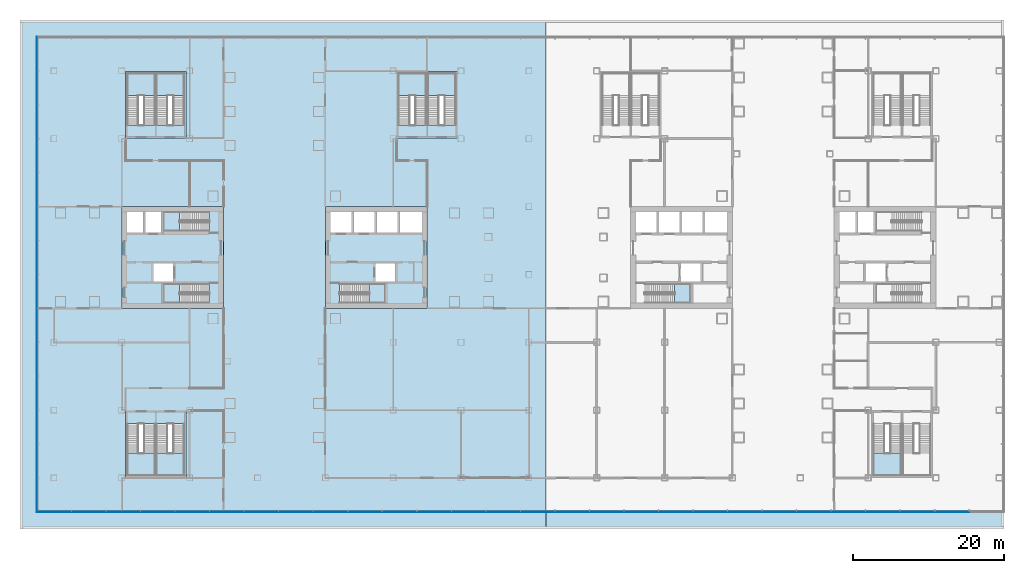
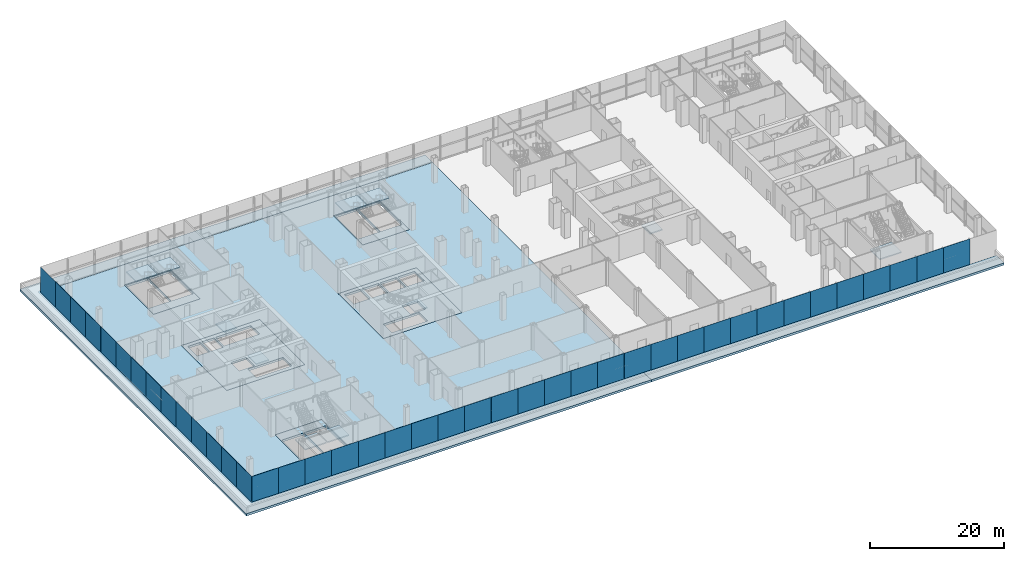
# One storey, part 18 of 33: 41 plates, 19 slabs, 13 elements without a shape of their own.
"""IFC4 building model written with IfcOpenShell, lengths in metres."""

from ifc_helpers import new_model, si_unit, direction, frame, origin, origin_2d, place, context, subcontext, project, spatial, polyline, rectangle, outline, extrude, material, layer, layer_set, type_object, element, aggregate, save


model = new_model("IFC4")

# Units and contexts
model_context = context("Model", 3, precision=1e-05, world=origin(), true_north=direction((0.0, 1.0)))
body_context = subcontext(model_context, "Body", "Model", "MODEL_VIEW")
ifc_project = project(units=[si_unit("LENGTHUNIT", "METRE"), si_unit("AREAUNIT", "SQUARE_METRE"), si_unit("VOLUMEUNIT", "CUBIC_METRE"), si_unit("PLANEANGLEUNIT", "RADIAN"), si_unit("MASSUNIT", "GRAM", prefix="KILO")], contexts=[model_context])

# Site, building, storey
site_placement = place(None, origin())
site = spatial("IfcSite", under=ifc_project, at=site_placement, CompositionType="ELEMENT")
building_placement = place(site_placement, origin())
building = spatial("IfcBuilding", under=site, at=building_placement, Name="Shamsa Quay Exchange Towers", CompositionType="ELEMENT")
storey_placement = place(building_placement, frame((0.0, 0.0, 18.5)))
storey = spatial("IfcBuildingStorey", under=building, at=storey_placement, Name="L03", CompositionType="ELEMENT", Elevation=18.5)

# Slabs
ifc_material_1 = material(Name="Concrete C50/60", Category="concrete")
ifc_layer_1 = layer(ifc_material_1, 0.39990234375)
ifc_layer_set_1 = layer_set([ifc_layer_1], Name="CORE FLOOR 400 C50/60")
slab_type_1 = type_object("IfcSlabType", Name="CORE FLOOR 400 C50/60", PredefinedType="FLOOR", material=ifc_layer_set_1)
slab_1_placement = place(storey_placement, frame((0.0, 0.0, -0.39990234375)))
element("IfcSlab", 1, at=slab_1_placement, inside=storey, type_object=slab_type_1, Name="Core floor T1A", PredefinedType="FLOOR", context=body_context, shape_type="SweptSolid", body=[
    extrude(outline(polyline([(-27.0, -6.75), (-13.5, -6.75), (-13.5, 6.75), (-27.0, 6.75), (-27.0, -6.75)]), holes=[polyline([(-25.099365234375, -6.050048828125), (-25.099365234375, -3.5), (-19.0, -3.5), (-19.0, -6.050048828125), (-25.099365234375, -6.050048828125)]), polyline([(-26.300048828125, 3.25), (-26.300048828125, 6.050048828125), (-23.5, 6.050048828125), (-23.5, 3.25), (-26.300048828125, 3.25)]), polyline([(-23.25, 3.25), (-23.25, 6.050048828125), (-20.449951171875, 6.050048828125), (-20.449951171875, 3.25), (-23.25, 3.25)]), polyline([(-20.199951171875, 3.25), (-20.199951171875, 6.050048828125), (-17.39990234375, 6.050048828125), (-17.39990234375, 3.25), (-20.199951171875, 3.25)]), polyline([(-17.14990234375, 3.25), (-17.14990234375, 6.050048828125), (-14.199951171875, 6.050048828125), (-14.199951171875, 3.25), (-17.14990234375, 3.25)]), polyline([(-20.35009765625, -3.25), (-20.35009765625, -0.75), (-17.699951171875, -0.75), (-17.699951171875, -3.25), (-20.35009765625, -3.25)])]), origin(), (0.0, 0.0, 1.0), 0.39990234375),
])
slab_2_placement = place(storey_placement, frame((0.0, 0.0, -0.39990234375)))
element("IfcSlab", 2, at=slab_2_placement, inside=storey, type_object=slab_type_1, Name="Core floor T1B", PredefinedType="FLOOR", context=body_context, shape_type="SweptSolid", body=[
    extrude(outline(polyline([(-40.5, -6.75), (-40.5, 6.75), (-54.0, 6.75), (-54.0, -6.75), (-40.5, -6.75)]), holes=[polyline([(-42.400634765625, -3.5), (-42.400634765625, -6.050048828125), (-48.5, -6.050048828125), (-48.5, -3.5), (-42.400634765625, -3.5)]), polyline([(-42.400634765625, 6.050048828125), (-42.400634765625, 3.5), (-48.5, 3.5), (-48.5, 6.050048828125), (-42.400634765625, 6.050048828125)]), polyline([(-48.75, 3.25), (-50.89990234375, 3.25), (-50.89990234375, 6.050048828125), (-48.75, 6.050048828125), (-48.75, 3.25)]), polyline([(-51.14990234375, 3.25), (-53.300048828125, 3.25), (-53.300048828125, 6.050048828125), (-51.14990234375, 6.050048828125), (-51.14990234375, 3.25)]), polyline([(-47.14990234375, -3.25), (-49.800048828125, -3.25), (-49.800048828125, -0.75), (-47.14990234375, -0.75), (-47.14990234375, -3.25)])]), origin(), (0.0, 0.0, 1.0), 0.39990234375),
])
slab_3_placement = place(storey_placement, frame((0.0, 0.0, -0.39990234375)))
element("IfcSlab", 3, at=slab_3_placement, inside=storey, type_object=slab_type_1, Name="Stair floor PS1", PredefinedType="FLOOR", context=body_context, shape_type="SweptSolid", body=[
    extrude(outline(polyline([(-53.5, 15.85009765625), (-45.5, 15.85009765625), (-45.5, 24.64990234375), (-53.5, 24.64990234375), (-53.5, 15.85009765625)]), holes=[polyline([(-49.574951171875, 17.55078125), (-53.300048828125, 17.55078125), (-53.300048828125, 24.449951171875), (-49.574951171875, 24.449951171875), (-49.574951171875, 17.55078125)]), polyline([(-45.699951171875, 17.55078125), (-49.425048828125, 17.55078125), (-49.425048828125, 24.449951171875), (-45.699951171875, 24.449951171875), (-45.699951171875, 17.55078125)])]), origin(), (0.0, 0.0, 1.0), 0.39990234375),
])
slab_4_placement = place(storey_placement, frame((0.0, 0.0, -0.39990234375)))
element("IfcSlab", 4, at=slab_4_placement, inside=storey, type_object=slab_type_1, Name="Stair floor PS2", PredefinedType="FLOOR", context=body_context, shape_type="SweptSolid", body=[
    extrude(outline(polyline([(-17.5, 15.85009765625), (-9.5, 15.85009765625), (-9.5, 24.64990234375), (-17.5, 24.64990234375), (-17.5, 15.85009765625)]), holes=[polyline([(-13.574951171875, 17.55078125), (-17.300048828125, 17.55078125), (-17.300048828125, 24.449951171875), (-13.574951171875, 24.449951171875), (-13.574951171875, 17.55078125)]), polyline([(-9.699951171875, 17.55078125), (-13.425048828125, 17.55078125), (-13.425048828125, 24.449951171875), (-9.699951171875, 24.449951171875), (-9.699951171875, 17.55078125)])]), origin(), (0.0, 0.0, 1.0), 0.39990234375),
])
slab_5_placement = place(storey_placement, frame((0.0, 0.0, -0.39990234375)))
element("IfcSlab", 5, at=slab_5_placement, inside=storey, type_object=slab_type_1, Name="Stair floor PS5", PredefinedType="FLOOR", context=body_context, shape_type="SweptSolid", body=[
    extrude(outline(polyline([(-53.5, -29.14990234375), (-45.5, -29.14990234375), (-45.5, -20.35009765625), (-53.5, -20.35009765625), (-53.5, -29.14990234375)]), holes=[polyline([(-53.300048828125, -22.05078125), (-49.574951171875, -22.05078125), (-49.574951171875, -28.949951171875), (-53.300048828125, -28.949951171875), (-53.300048828125, -22.05078125)]), polyline([(-49.425048828125, -22.05078125), (-45.699951171875, -22.05078125), (-45.699951171875, -28.949951171875), (-49.425048828125, -28.949951171875), (-49.425048828125, -22.05078125)])]), origin(), (0.0, 0.0, 1.0), 0.39990234375),
])

# Stair, slab
ifc_material_2 = material(Name="Concrete C40/50", Category="concrete")
stair_type_1 = type_object("IfcStairType", Name="EXIT STAIR 30 RISERS 167 MM", PredefinedType="HALF_TURN_STAIR", material=ifc_material_2)
stair_1_placement = place(storey_placement, origin())
stair_1 = element("IfcStair", 6, at=stair_1_placement, inside=storey, type_object=stair_type_1, Name="L03 Exit stair ST1", PredefinedType="HALF_TURN_STAIR")
ifc_layer_2 = layer(ifc_material_2, 0.199951171875)
ifc_layer_set_2 = layer_set([ifc_layer_2], Name="CORE STAIR LANDING")
slab_type_2 = type_object("IfcSlabType", Name="CORE STAIR LANDING", PredefinedType="LANDING", material=ifc_layer_set_2)
slab_6_placement = place(storey_placement, frame((0.0, 0.0, 2.300048828125)))
slab_6 = element("IfcSlab", 7, at=slab_6_placement, type_object=slab_type_2, Name="ST1 landing 1", PredefinedType="LANDING", context=body_context, shape_type="SweptSolid", body=[
    extrude(outline(polyline([(-21.179931640625, -6.050048828125), (-19.0, -6.050048828125), (-19.0, -3.5), (-21.179931640625, -3.5), (-21.179931640625, -6.050048828125)])), origin(), (0.0, 0.0, 1.0), 0.199951171875),
])
aggregate(stair_1, [slab_6])

stair_2_placement = place(storey_placement, origin())
stair_2 = element("IfcStair", 8, at=stair_2_placement, inside=storey, type_object=stair_type_1, Name="L03 Exit stair ST2", PredefinedType="HALF_TURN_STAIR")
slab_7_placement = place(storey_placement, frame((0.0, 0.0, 2.300048828125)))
slab_7 = element("IfcSlab", 9, at=slab_7_placement, type_object=slab_type_2, Name="ST2 landing 1", PredefinedType="LANDING", context=body_context, shape_type="SweptSolid", body=[
    extrude(outline(polyline([(-46.320068359375, -3.5), (-48.5, -3.5), (-48.5, -6.050048828125), (-46.320068359375, -6.050048828125), (-46.320068359375, -3.5)])), origin(), (0.0, 0.0, 1.0), 0.199951171875),
])
aggregate(stair_2, [slab_7])

stair_3_placement = place(storey_placement, origin())
stair_3 = element("IfcStair", 10, at=stair_3_placement, inside=storey, type_object=stair_type_1, Name="L03 Exit stair ST3", PredefinedType="HALF_TURN_STAIR")
slab_8_placement = place(storey_placement, frame((0.0, 0.0, 2.300048828125)))
slab_8 = element("IfcSlab", 11, at=slab_8_placement, type_object=slab_type_2, Name="ST3 landing 1", PredefinedType="LANDING", context=body_context, shape_type="SweptSolid", body=[
    extrude(outline(polyline([(-46.320068359375, 6.050048828125), (-48.5, 6.050048828125), (-48.5, 3.5), (-46.320068359375, 3.5), (-46.320068359375, 6.050048828125)])), origin(), (0.0, 0.0, 1.0), 0.199951171875),
])
aggregate(stair_3, [slab_8])

stair_4_placement = place(storey_placement, origin())
stair_4 = element("IfcStair", 12, at=stair_4_placement, inside=storey, type_object=stair_type_1, Name="L03 Exit stair ST4", PredefinedType="HALF_TURN_STAIR")
slab_9_placement = place(storey_placement, frame((0.0, 0.0, 2.300048828125)))
slab_9 = element("IfcSlab", 13, at=slab_9_placement, type_object=slab_type_2, Name="ST4 landing 1", PredefinedType="LANDING", context=body_context, shape_type="SweptSolid", body=[
    extrude(outline(polyline([(19.320068359375, -6.050048828125), (21.5, -6.050048828125), (21.5, -3.5), (19.320068359375, -3.5), (19.320068359375, -6.050048828125)])), origin(), (0.0, 0.0, 1.0), 0.199951171875),
])
aggregate(stair_4, [slab_9])

stair_type_2 = type_object("IfcStairType", Name="PODIUM EXIT STAIR 30 RISERS 167 MM 1500 WIDE", PredefinedType="HALF_TURN_STAIR", material=ifc_material_2)
stair_5_placement = place(storey_placement, origin())
stair_5 = element("IfcStair", 14, at=stair_5_placement, inside=storey, type_object=stair_type_2, Name="L03 Exit stair PS1A", PredefinedType="HALF_TURN_STAIR")
slab_10_placement = place(storey_placement, frame((0.0, 0.0, 2.300048828125)))
slab_10 = element("IfcSlab", 15, at=slab_10_placement, type_object=slab_type_2, Name="PS1A landing 1", PredefinedType="LANDING", context=body_context, shape_type="SweptSolid", body=[
    extrude(outline(polyline([(-49.574951171875, 21.469970703125), (-49.574951171875, 24.449951171875), (-53.300048828125, 24.449951171875), (-53.300048828125, 21.469970703125), (-49.574951171875, 21.469970703125)])), origin(), (0.0, 0.0, 1.0), 0.199951171875),
])
aggregate(stair_5, [slab_10])

stair_6_placement = place(storey_placement, origin())
stair_6 = element("IfcStair", 16, at=stair_6_placement, inside=storey, type_object=stair_type_2, Name="L03 Exit stair PS1B", PredefinedType="HALF_TURN_STAIR")
slab_11_placement = place(storey_placement, frame((0.0, 0.0, 2.300048828125)))
slab_11 = element("IfcSlab", 17, at=slab_11_placement, type_object=slab_type_2, Name="PS1B landing 1", PredefinedType="LANDING", context=body_context, shape_type="SweptSolid", body=[
    extrude(outline(polyline([(-45.699951171875, 21.469970703125), (-45.699951171875, 24.449951171875), (-49.425048828125, 24.449951171875), (-49.425048828125, 21.469970703125), (-45.699951171875, 21.469970703125)])), origin(), (0.0, 0.0, 1.0), 0.199951171875),
])
aggregate(stair_6, [slab_11])

stair_7_placement = place(storey_placement, origin())
stair_7 = element("IfcStair", 18, at=stair_7_placement, inside=storey, type_object=stair_type_2, Name="L03 Exit stair PS2A", PredefinedType="HALF_TURN_STAIR")
slab_12_placement = place(storey_placement, frame((0.0, 0.0, 2.300048828125)))
slab_12 = element("IfcSlab", 19, at=slab_12_placement, type_object=slab_type_2, Name="PS2A landing 1", PredefinedType="LANDING", context=body_context, shape_type="SweptSolid", body=[
    extrude(outline(polyline([(-13.574951171875, 21.469970703125), (-13.574951171875, 24.449951171875), (-17.300048828125, 24.449951171875), (-17.300048828125, 21.469970703125), (-13.574951171875, 21.469970703125)])), origin(), (0.0, 0.0, 1.0), 0.199951171875),
])
aggregate(stair_7, [slab_12])

stair_8_placement = place(storey_placement, origin())
stair_8 = element("IfcStair", 20, at=stair_8_placement, inside=storey, type_object=stair_type_2, Name="L03 Exit stair PS2B", PredefinedType="HALF_TURN_STAIR")
slab_13_placement = place(storey_placement, frame((0.0, 0.0, 2.300048828125)))
slab_13 = element("IfcSlab", 21, at=slab_13_placement, type_object=slab_type_2, Name="PS2B landing 1", PredefinedType="LANDING", context=body_context, shape_type="SweptSolid", body=[
    extrude(outline(polyline([(-9.699951171875, 21.469970703125), (-9.699951171875, 24.449951171875), (-13.425048828125, 24.449951171875), (-13.425048828125, 21.469970703125), (-9.699951171875, 21.469970703125)])), origin(), (0.0, 0.0, 1.0), 0.199951171875),
])
aggregate(stair_8, [slab_13])

stair_9_placement = place(storey_placement, origin())
stair_9 = element("IfcStair", 22, at=stair_9_placement, inside=storey, type_object=stair_type_2, Name="L03 Exit stair PS5A", PredefinedType="HALF_TURN_STAIR")
slab_14_placement = place(storey_placement, frame((0.0, 0.0, 2.300048828125)))
slab_14 = element("IfcSlab", 23, at=slab_14_placement, type_object=slab_type_2, Name="PS5A landing 1", PredefinedType="LANDING", context=body_context, shape_type="SweptSolid", body=[
    extrude(outline(polyline([(-53.300048828125, -25.969970703125), (-53.300048828125, -28.949951171875), (-49.574951171875, -28.949951171875), (-49.574951171875, -25.969970703125), (-53.300048828125, -25.969970703125)])), origin(), (0.0, 0.0, 1.0), 0.199951171875),
])
aggregate(stair_9, [slab_14])

stair_10_placement = place(storey_placement, origin())
stair_10 = element("IfcStair", 24, at=stair_10_placement, inside=storey, type_object=stair_type_2, Name="L03 Exit stair PS5B", PredefinedType="HALF_TURN_STAIR")
slab_15_placement = place(storey_placement, frame((0.0, 0.0, 2.300048828125)))
slab_15 = element("IfcSlab", 25, at=slab_15_placement, type_object=slab_type_2, Name="PS5B landing 1", PredefinedType="LANDING", context=body_context, shape_type="SweptSolid", body=[
    extrude(outline(polyline([(-49.425048828125, -25.969970703125), (-49.425048828125, -28.949951171875), (-45.699951171875, -28.949951171875), (-45.699951171875, -25.969970703125), (-49.425048828125, -25.969970703125)])), origin(), (0.0, 0.0, 1.0), 0.199951171875),
])
aggregate(stair_10, [slab_15])

stair_11_placement = place(storey_placement, origin())
stair_11 = element("IfcStair", 26, at=stair_11_placement, inside=storey, type_object=stair_type_2, Name="L03 Exit stair PS6A", PredefinedType="HALF_TURN_STAIR")
slab_16_placement = place(storey_placement, frame((0.0, 0.0, 2.300048828125)))
slab_16 = element("IfcSlab", 27, at=slab_16_placement, type_object=slab_type_2, Name="PS6A landing 1", PredefinedType="LANDING", context=body_context, shape_type="SweptSolid", body=[
    extrude(outline(polyline([(45.699951171875, -25.969970703125), (45.699951171875, -28.949951171875), (49.425048828125, -28.949951171875), (49.425048828125, -25.969970703125), (45.699951171875, -25.969970703125)])), origin(), (0.0, 0.0, 1.0), 0.199951171875),
])
aggregate(stair_11, [slab_16])

# Curtain wall, plates
ifc_material_3 = material(Name="Aluminium EN AW-6063 T6, black anodised", Category="aluminium")
ifc_layer_3 = layer(ifc_material_3, 0.33203125)
ifc_layer_set_3 = layer_set([ifc_layer_3], Name="CW-3 PODIUM SHOPFRONT GLAZING")
curtain_wall_type = type_object("IfcCurtainWallType", Name="CW-3 PODIUM SHOPFRONT GLAZING", PredefinedType="NOTDEFINED", material=ifc_layer_set_3)
curtain_wall_1_placement = place(storey_placement, origin())
curtain_wall_1 = element("IfcCurtainWall", 28, at=curtain_wall_1_placement, inside=storey, type_object=curtain_wall_type, Name="CW3 PODIUM-L03-F02", PredefinedType="NOTDEFINED")
ifc_material_4 = material(Name="Glass, laminated, impact rated, clear low iron", Category="glass")
ifc_layer_4 = layer(ifc_material_4, 0.031982421875)
ifc_layer_set_4 = layer_set([ifc_layer_4], Name="CW-3 SHOPFRONT GLASS 32")
plate_type = type_object("IfcPlateType", Name="CW-3 SHOPFRONT GLASS 32", PredefinedType="CURTAIN_PANEL", material=ifc_layer_set_4)
plate_1_placement = place(storey_placement, frame((-65.26611328125, 27.00244140625, -0.35009765625), z_axis=(0.0, 0.0, 1.0), x_axis=(0.0, -1.0, 0.0)))
plate_1 = element("IfcPlate", 29, at=plate_1_placement, type_object=plate_type, Name="CW3 glass panel", PredefinedType="CURTAIN_PANEL", context=body_context, shape_type="SweptSolid", body=[
    extrude(rectangle(XDim=4.4951171875, YDim=0.031982421875, at=origin_2d()), origin(), (0.0, 0.0, 1.0), 5.0),
])
plate_2_placement = place(storey_placement, frame((-65.26611328125, 22.5, -0.35009765625), z_axis=(0.0, 0.0, 1.0), x_axis=(0.0, -1.0, 0.0)))
plate_2 = element("IfcPlate", 30, at=plate_2_placement, type_object=plate_type, Name="CW3 glass panel", PredefinedType="CURTAIN_PANEL", context=body_context, shape_type="SweptSolid", body=[
    extrude(rectangle(XDim=4.489990234375, YDim=0.031982421875, at=origin_2d()), origin(), (0.0, 0.0, 1.0), 5.0),
])
plate_3_placement = place(storey_placement, frame((-65.26611328125, 18.0, -0.35009765625), z_axis=(0.0, 0.0, 1.0), x_axis=(0.0, -1.0, 0.0)))
plate_3 = element("IfcPlate", 31, at=plate_3_placement, type_object=plate_type, Name="CW3 glass panel", PredefinedType="CURTAIN_PANEL", context=body_context, shape_type="SweptSolid", body=[
    extrude(rectangle(XDim=4.489990234375, YDim=0.031982421875, at=origin_2d()), origin(), (0.0, 0.0, 1.0), 5.0),
])
plate_4_placement = place(storey_placement, frame((-65.26611328125, 13.5, -0.35009765625), z_axis=(0.0, 0.0, 1.0), x_axis=(0.0, -1.0, 0.0)))
plate_4 = element("IfcPlate", 32, at=plate_4_placement, type_object=plate_type, Name="CW3 glass panel", PredefinedType="CURTAIN_PANEL", context=body_context, shape_type="SweptSolid", body=[
    extrude(rectangle(XDim=4.489990234375, YDim=0.031982421875, at=origin_2d()), origin(), (0.0, 0.0, 1.0), 5.0),
])
plate_5_placement = place(storey_placement, frame((-65.26611328125, 9.0, -0.35009765625), z_axis=(0.0, 0.0, 1.0), x_axis=(0.0, -1.0, 0.0)))
plate_5 = element("IfcPlate", 33, at=plate_5_placement, type_object=plate_type, Name="CW3 glass panel", PredefinedType="CURTAIN_PANEL", context=body_context, shape_type="SweptSolid", body=[
    extrude(rectangle(XDim=4.489990234375, YDim=0.031982421875, at=origin_2d()), origin(), (0.0, 0.0, 1.0), 5.0),
])
plate_6_placement = place(storey_placement, frame((-65.26611328125, 4.5, -0.35009765625), z_axis=(0.0, 0.0, 1.0), x_axis=(0.0, -1.0, 0.0)))
plate_6 = element("IfcPlate", 34, at=plate_6_placement, type_object=plate_type, Name="CW3 glass panel", PredefinedType="CURTAIN_PANEL", context=body_context, shape_type="SweptSolid", body=[
    extrude(rectangle(XDim=4.489990234375, YDim=0.031982421875, at=origin_2d()), origin(), (0.0, 0.0, 1.0), 5.0),
])
plate_7_placement = place(storey_placement, frame((-65.26611328125, 0.0, -0.35009765625), z_axis=(0.0, 0.0, 1.0), x_axis=(0.0, -1.0, 0.0)))
plate_7 = element("IfcPlate", 35, at=plate_7_placement, type_object=plate_type, Name="CW3 glass panel", PredefinedType="CURTAIN_PANEL", context=body_context, shape_type="SweptSolid", body=[
    extrude(rectangle(XDim=4.489990234375, YDim=0.031982421875, at=origin_2d()), origin(), (0.0, 0.0, 1.0), 5.0),
])
plate_8_placement = place(storey_placement, frame((-65.26611328125, -4.5, -0.35009765625), z_axis=(0.0, 0.0, 1.0), x_axis=(0.0, -1.0, 0.0)))
plate_8 = element("IfcPlate", 36, at=plate_8_placement, type_object=plate_type, Name="CW3 glass panel", PredefinedType="CURTAIN_PANEL", context=body_context, shape_type="SweptSolid", body=[
    extrude(rectangle(XDim=4.489990234375, YDim=0.031982421875, at=origin_2d()), origin(), (0.0, 0.0, 1.0), 5.0),
])
plate_9_placement = place(storey_placement, frame((-65.26611328125, -9.0, -0.35009765625), z_axis=(0.0, 0.0, 1.0), x_axis=(0.0, -1.0, 0.0)))
plate_9 = element("IfcPlate", 37, at=plate_9_placement, type_object=plate_type, Name="CW3 glass panel", PredefinedType="CURTAIN_PANEL", context=body_context, shape_type="SweptSolid", body=[
    extrude(rectangle(XDim=4.489990234375, YDim=0.031982421875, at=origin_2d()), origin(), (0.0, 0.0, 1.0), 5.0),
])
plate_10_placement = place(storey_placement, frame((-65.26611328125, -13.5, -0.35009765625), z_axis=(0.0, 0.0, 1.0), x_axis=(0.0, -1.0, 0.0)))
plate_10 = element("IfcPlate", 38, at=plate_10_placement, type_object=plate_type, Name="CW3 glass panel", PredefinedType="CURTAIN_PANEL", context=body_context, shape_type="SweptSolid", body=[
    extrude(rectangle(XDim=4.489990234375, YDim=0.031982421875, at=origin_2d()), origin(), (0.0, 0.0, 1.0), 5.0),
])
plate_11_placement = place(storey_placement, frame((-65.26611328125, -18.0, -0.35009765625), z_axis=(0.0, 0.0, 1.0), x_axis=(0.0, -1.0, 0.0)))
plate_11 = element("IfcPlate", 39, at=plate_11_placement, type_object=plate_type, Name="CW3 glass panel", PredefinedType="CURTAIN_PANEL", context=body_context, shape_type="SweptSolid", body=[
    extrude(rectangle(XDim=4.489990234375, YDim=0.031982421875, at=origin_2d()), origin(), (0.0, 0.0, 1.0), 5.0),
])
plate_12_placement = place(storey_placement, frame((-65.26611328125, -22.5, -0.35009765625), z_axis=(0.0, 0.0, 1.0), x_axis=(0.0, -1.0, 0.0)))
plate_12 = element("IfcPlate", 40, at=plate_12_placement, type_object=plate_type, Name="CW3 glass panel", PredefinedType="CURTAIN_PANEL", context=body_context, shape_type="SweptSolid", body=[
    extrude(rectangle(XDim=4.489990234375, YDim=0.031982421875, at=origin_2d()), origin(), (0.0, 0.0, 1.0), 5.0),
])
plate_13_placement = place(storey_placement, frame((-65.26611328125, -27.0, -0.35009765625), z_axis=(0.0, 0.0, 1.0), x_axis=(0.0, -1.0, 0.0)))
plate_13 = element("IfcPlate", 41, at=plate_13_placement, type_object=plate_type, Name="CW3 glass panel", PredefinedType="CURTAIN_PANEL", context=body_context, shape_type="SweptSolid", body=[
    extrude(rectangle(XDim=4.489990234375, YDim=0.031982421875, at=origin_2d()), origin(), (0.0, 0.0, 1.0), 5.0),
])
plate_14_placement = place(storey_placement, frame((-65.26611328125, -31.50244140625, -0.35009765625), z_axis=(0.0, 0.0, 1.0), x_axis=(0.0, -1.0, 0.0)))
plate_14 = element("IfcPlate", 42, at=plate_14_placement, type_object=plate_type, Name="CW3 glass panel", PredefinedType="CURTAIN_PANEL", context=body_context, shape_type="SweptSolid", body=[
    extrude(rectangle(XDim=4.4951171875, YDim=0.031982421875, at=origin_2d()), origin(), (0.0, 0.0, 1.0), 5.0),
])
aggregate(curtain_wall_1, [plate_1, plate_2, plate_3, plate_4, plate_5, plate_6, plate_7, plate_8, plate_9, plate_10, plate_11, plate_12, plate_13, plate_14])

curtain_wall_2_placement = place(storey_placement, origin())
curtain_wall_2 = element("IfcCurtainWall", 43, at=curtain_wall_2_placement, inside=storey, type_object=curtain_wall_type, Name="CW3 PODIUM-L03-F03", PredefinedType="NOTDEFINED")
plate_15_placement = place(storey_placement, frame((-62.96240234375, -33.76611328125, -0.35009765625)))
plate_15 = element("IfcPlate", 44, at=plate_15_placement, type_object=plate_type, Name="CW3 glass panel", PredefinedType="CURTAIN_PANEL", context=body_context, shape_type="SweptSolid", body=[
    extrude(rectangle(XDim=4.575439453125, YDim=0.031982421875, at=origin_2d()), origin(), (0.0, 0.0, 1.0), 5.0),
])
plate_16_placement = place(storey_placement, frame((-58.37939453125, -33.76611328125, -0.35009765625)))
plate_16 = element("IfcPlate", 45, at=plate_16_placement, type_object=plate_type, Name="CW3 glass panel", PredefinedType="CURTAIN_PANEL", context=body_context, shape_type="SweptSolid", body=[
    extrude(rectangle(XDim=4.5703125, YDim=0.031982421875, at=origin_2d()), origin(), (0.0, 0.0, 1.0), 5.0),
])
plate_17_placement = place(storey_placement, frame((-53.799072265625, -33.76611328125, -0.35009765625)))
plate_17 = element("IfcPlate", 46, at=plate_17_placement, type_object=plate_type, Name="CW3 glass panel", PredefinedType="CURTAIN_PANEL", context=body_context, shape_type="SweptSolid", body=[
    extrude(rectangle(XDim=4.5703125, YDim=0.031982421875, at=origin_2d()), origin(), (0.0, 0.0, 1.0), 5.0),
])
plate_18_placement = place(storey_placement, frame((-49.21875, -33.76611328125, -0.35009765625)))
plate_18 = element("IfcPlate", 47, at=plate_18_placement, type_object=plate_type, Name="CW3 glass panel", PredefinedType="CURTAIN_PANEL", context=body_context, shape_type="SweptSolid", body=[
    extrude(rectangle(XDim=4.5703125, YDim=0.031982421875, at=origin_2d()), origin(), (0.0, 0.0, 1.0), 5.0),
])
plate_19_placement = place(storey_placement, frame((-44.638427734375, -33.76611328125, -0.35009765625)))
plate_19 = element("IfcPlate", 48, at=plate_19_placement, type_object=plate_type, Name="CW3 glass panel", PredefinedType="CURTAIN_PANEL", context=body_context, shape_type="SweptSolid", body=[
    extrude(rectangle(XDim=4.5703125, YDim=0.031982421875, at=origin_2d()), origin(), (0.0, 0.0, 1.0), 5.0),
])
plate_20_placement = place(storey_placement, frame((-40.05810546875, -33.76611328125, -0.35009765625)))
plate_20 = element("IfcPlate", 49, at=plate_20_placement, type_object=plate_type, Name="CW3 glass panel", PredefinedType="CURTAIN_PANEL", context=body_context, shape_type="SweptSolid", body=[
    extrude(rectangle(XDim=4.5703125, YDim=0.031982421875, at=origin_2d()), origin(), (0.0, 0.0, 1.0), 5.0),
])
plate_21_placement = place(storey_placement, frame((-35.477783203125, -33.76611328125, -0.35009765625)))
plate_21 = element("IfcPlate", 50, at=plate_21_placement, type_object=plate_type, Name="CW3 glass panel", PredefinedType="CURTAIN_PANEL", context=body_context, shape_type="SweptSolid", body=[
    extrude(rectangle(XDim=4.5703125, YDim=0.031982421875, at=origin_2d()), origin(), (0.0, 0.0, 1.0), 5.0),
])
plate_22_placement = place(storey_placement, frame((-30.897216796875, -33.76611328125, -0.35009765625)))
plate_22 = element("IfcPlate", 51, at=plate_22_placement, type_object=plate_type, Name="CW3 glass panel", PredefinedType="CURTAIN_PANEL", context=body_context, shape_type="SweptSolid", body=[
    extrude(rectangle(XDim=4.5703125, YDim=0.031982421875, at=origin_2d()), origin(), (0.0, 0.0, 1.0), 5.0),
])
plate_23_placement = place(storey_placement, frame((-26.31689453125, -33.76611328125, -0.35009765625)))
plate_23 = element("IfcPlate", 52, at=plate_23_placement, type_object=plate_type, Name="CW3 glass panel", PredefinedType="CURTAIN_PANEL", context=body_context, shape_type="SweptSolid", body=[
    extrude(rectangle(XDim=4.5703125, YDim=0.031982421875, at=origin_2d()), origin(), (0.0, 0.0, 1.0), 5.0),
])
plate_24_placement = place(storey_placement, frame((-21.736572265625, -33.76611328125, -0.35009765625)))
plate_24 = element("IfcPlate", 53, at=plate_24_placement, type_object=plate_type, Name="CW3 glass panel", PredefinedType="CURTAIN_PANEL", context=body_context, shape_type="SweptSolid", body=[
    extrude(rectangle(XDim=4.5703125, YDim=0.031982421875, at=origin_2d()), origin(), (0.0, 0.0, 1.0), 5.0),
])
plate_25_placement = place(storey_placement, frame((-17.15625, -33.76611328125, -0.35009765625)))
plate_25 = element("IfcPlate", 54, at=plate_25_placement, type_object=plate_type, Name="CW3 glass panel", PredefinedType="CURTAIN_PANEL", context=body_context, shape_type="SweptSolid", body=[
    extrude(rectangle(XDim=4.5703125, YDim=0.031982421875, at=origin_2d()), origin(), (0.0, 0.0, 1.0), 5.0),
])
plate_26_placement = place(storey_placement, frame((-12.575927734375, -33.76611328125, -0.35009765625)))
plate_26 = element("IfcPlate", 55, at=plate_26_placement, type_object=plate_type, Name="CW3 glass panel", PredefinedType="CURTAIN_PANEL", context=body_context, shape_type="SweptSolid", body=[
    extrude(rectangle(XDim=4.5703125, YDim=0.031982421875, at=origin_2d()), origin(), (0.0, 0.0, 1.0), 5.0),
])
plate_27_placement = place(storey_placement, frame((-7.99560546875, -33.76611328125, -0.35009765625)))
plate_27 = element("IfcPlate", 56, at=plate_27_placement, type_object=plate_type, Name="CW3 glass panel", PredefinedType="CURTAIN_PANEL", context=body_context, shape_type="SweptSolid", body=[
    extrude(rectangle(XDim=4.5703125, YDim=0.031982421875, at=origin_2d()), origin(), (0.0, 0.0, 1.0), 5.0),
])
plate_28_placement = place(storey_placement, frame((-3.415283203125, -33.76611328125, -0.35009765625)))
plate_28 = element("IfcPlate", 57, at=plate_28_placement, type_object=plate_type, Name="CW3 glass panel", PredefinedType="CURTAIN_PANEL", context=body_context, shape_type="SweptSolid", body=[
    extrude(rectangle(XDim=4.5703125, YDim=0.031982421875, at=origin_2d()), origin(), (0.0, 0.0, 1.0), 5.0),
])
plate_29_placement = place(storey_placement, frame((1.165283203125, -33.76611328125, -0.35009765625)))
plate_29 = element("IfcPlate", 58, at=plate_29_placement, type_object=plate_type, Name="CW3 glass panel", PredefinedType="CURTAIN_PANEL", context=body_context, shape_type="SweptSolid", body=[
    extrude(rectangle(XDim=4.5703125, YDim=0.031982421875, at=origin_2d()), origin(), (0.0, 0.0, 1.0), 5.0),
])
plate_30_placement = place(storey_placement, frame((5.74560546875, -33.76611328125, -0.35009765625)))
plate_30 = element("IfcPlate", 59, at=plate_30_placement, type_object=plate_type, Name="CW3 glass panel", PredefinedType="CURTAIN_PANEL", context=body_context, shape_type="SweptSolid", body=[
    extrude(rectangle(XDim=4.5703125, YDim=0.031982421875, at=origin_2d()), origin(), (0.0, 0.0, 1.0), 5.0),
])
plate_31_placement = place(storey_placement, frame((10.325927734375, -33.76611328125, -0.35009765625)))
plate_31 = element("IfcPlate", 60, at=plate_31_placement, type_object=plate_type, Name="CW3 glass panel", PredefinedType="CURTAIN_PANEL", context=body_context, shape_type="SweptSolid", body=[
    extrude(rectangle(XDim=4.5703125, YDim=0.031982421875, at=origin_2d()), origin(), (0.0, 0.0, 1.0), 5.0),
])
plate_32_placement = place(storey_placement, frame((14.90625, -33.76611328125, -0.35009765625)))
plate_32 = element("IfcPlate", 61, at=plate_32_placement, type_object=plate_type, Name="CW3 glass panel", PredefinedType="CURTAIN_PANEL", context=body_context, shape_type="SweptSolid", body=[
    extrude(rectangle(XDim=4.5703125, YDim=0.031982421875, at=origin_2d()), origin(), (0.0, 0.0, 1.0), 5.0),
])
plate_33_placement = place(storey_placement, frame((19.486572265625, -33.76611328125, -0.35009765625)))
plate_33 = element("IfcPlate", 62, at=plate_33_placement, type_object=plate_type, Name="CW3 glass panel", PredefinedType="CURTAIN_PANEL", context=body_context, shape_type="SweptSolid", body=[
    extrude(rectangle(XDim=4.5703125, YDim=0.031982421875, at=origin_2d()), origin(), (0.0, 0.0, 1.0), 5.0),
])
plate_34_placement = place(storey_placement, frame((24.06689453125, -33.76611328125, -0.35009765625)))
plate_34 = element("IfcPlate", 63, at=plate_34_placement, type_object=plate_type, Name="CW3 glass panel", PredefinedType="CURTAIN_PANEL", context=body_context, shape_type="SweptSolid", body=[
    extrude(rectangle(XDim=4.5703125, YDim=0.031982421875, at=origin_2d()), origin(), (0.0, 0.0, 1.0), 5.0),
])
plate_35_placement = place(storey_placement, frame((28.647216796875, -33.76611328125, -0.35009765625)))
plate_35 = element("IfcPlate", 64, at=plate_35_placement, type_object=plate_type, Name="CW3 glass panel", PredefinedType="CURTAIN_PANEL", context=body_context, shape_type="SweptSolid", body=[
    extrude(rectangle(XDim=4.5703125, YDim=0.031982421875, at=origin_2d()), origin(), (0.0, 0.0, 1.0), 5.0),
])
plate_36_placement = place(storey_placement, frame((33.227783203125, -33.76611328125, -0.35009765625)))
plate_36 = element("IfcPlate", 65, at=plate_36_placement, type_object=plate_type, Name="CW3 glass panel", PredefinedType="CURTAIN_PANEL", context=body_context, shape_type="SweptSolid", body=[
    extrude(rectangle(XDim=4.5703125, YDim=0.031982421875, at=origin_2d()), origin(), (0.0, 0.0, 1.0), 5.0),
])
plate_37_placement = place(storey_placement, frame((37.80810546875, -33.76611328125, -0.35009765625)))
plate_37 = element("IfcPlate", 66, at=plate_37_placement, type_object=plate_type, Name="CW3 glass panel", PredefinedType="CURTAIN_PANEL", context=body_context, shape_type="SweptSolid", body=[
    extrude(rectangle(XDim=4.5703125, YDim=0.031982421875, at=origin_2d()), origin(), (0.0, 0.0, 1.0), 5.0),
])
plate_38_placement = place(storey_placement, frame((42.388427734375, -33.76611328125, -0.35009765625)))
plate_38 = element("IfcPlate", 67, at=plate_38_placement, type_object=plate_type, Name="CW3 glass panel", PredefinedType="CURTAIN_PANEL", context=body_context, shape_type="SweptSolid", body=[
    extrude(rectangle(XDim=4.5703125, YDim=0.031982421875, at=origin_2d()), origin(), (0.0, 0.0, 1.0), 5.0),
])
plate_39_placement = place(storey_placement, frame((46.96875, -33.76611328125, -0.35009765625)))
plate_39 = element("IfcPlate", 68, at=plate_39_placement, type_object=plate_type, Name="CW3 glass panel", PredefinedType="CURTAIN_PANEL", context=body_context, shape_type="SweptSolid", body=[
    extrude(rectangle(XDim=4.5703125, YDim=0.031982421875, at=origin_2d()), origin(), (0.0, 0.0, 1.0), 5.0),
])
plate_40_placement = place(storey_placement, frame((51.549072265625, -33.76611328125, -0.35009765625)))
plate_40 = element("IfcPlate", 69, at=plate_40_placement, type_object=plate_type, Name="CW3 glass panel", PredefinedType="CURTAIN_PANEL", context=body_context, shape_type="SweptSolid", body=[
    extrude(rectangle(XDim=4.5703125, YDim=0.031982421875, at=origin_2d()), origin(), (0.0, 0.0, 1.0), 5.0),
])
plate_41_placement = place(storey_placement, frame((56.12939453125, -33.76611328125, -0.35009765625)))
plate_41 = element("IfcPlate", 70, at=plate_41_placement, type_object=plate_type, Name="CW3 glass panel", PredefinedType="CURTAIN_PANEL", context=body_context, shape_type="SweptSolid", body=[
    extrude(rectangle(XDim=4.5703125, YDim=0.031982421875, at=origin_2d()), origin(), (0.0, 0.0, 1.0), 5.0),
])
aggregate(curtain_wall_2, [plate_15, plate_16, plate_17, plate_18, plate_19, plate_20, plate_21, plate_22, plate_23, plate_24, plate_25, plate_26, plate_27, plate_28, plate_29, plate_30, plate_31, plate_32, plate_33, plate_34, plate_35, plate_36, plate_37, plate_38, plate_39, plate_40, plate_41])

# Slabs
ifc_layer_5 = layer(ifc_material_2, 0.39990234375)
ifc_layer_set_5 = layer_set([ifc_layer_5], Name="Flat slab 400")
slab_type_3 = type_object("IfcSlabType", Name="Flat slab 400", PredefinedType="FLOOR", material=ifc_layer_set_5)
slab_17_placement = place(storey_placement, frame((0.0, 0.0, -0.39990234375)))
element("IfcSlab", 71, at=slab_17_placement, inside=storey, type_object=slab_type_3, Name="Flat slab PD L03 1", PredefinedType="FLOOR", context=body_context, shape_type="SweptSolid", body=[
    extrude(outline(polyline([(-65.25, 29.25), (-65.25, -33.75), (2.25, -33.75), (2.25, 29.25), (-65.25, 29.25)]), holes=[polyline([(-53.5, -29.14990234375), (-45.5, -29.14990234375), (-45.5, -20.35009765625), (-53.5, -20.35009765625), (-53.5, -29.14990234375)]), polyline([(-54.0, -6.75), (-40.5, -6.75), (-40.5, 6.75), (-54.0, 6.75), (-54.0, -6.75)]), polyline([(-27.0, 6.75), (-27.0, -6.75), (-13.5, -6.75), (-13.5, 6.75), (-27.0, 6.75)]), polyline([(-53.5, 15.85009765625), (-45.5, 15.85009765625), (-45.5, 24.64990234375), (-53.5, 24.64990234375), (-53.5, 15.85009765625)]), polyline([(-17.5, 15.85009765625), (-9.5, 15.85009765625), (-9.5, 24.64990234375), (-17.5, 24.64990234375), (-17.5, 15.85009765625)])]), origin(), (0.0, 0.0, 1.0), 0.39990234375),
])
ifc_layer_6 = layer(ifc_material_2, 0.39990234375)
ifc_layer_set_6 = layer_set([ifc_layer_6], Name="Terrace roof slab 400")
slab_type_4 = type_object("IfcSlabType", Name="Terrace roof slab 400", PredefinedType="ROOF", material=ifc_layer_set_6)
slab_18_placement = place(storey_placement, frame((0.0, 0.0, -0.39990234375)))
element("IfcSlab", 72, at=slab_18_placement, inside=storey, type_object=slab_type_4, Name="Roof slab PD over L02 1", PredefinedType="ROOF", context=body_context, shape_type="SweptSolid", body=[
    extrude(outline(polyline([(-67.5, -36.0), (2.25, -36.0), (2.25, -33.75), (-65.25, -33.75), (-65.25, 29.25), (2.25, 29.25), (2.25, 31.5), (-67.5, 31.5), (-67.5, -36.0)])), origin(), (0.0, 0.0, 1.0), 0.39990234375),
])
slab_19_placement = place(storey_placement, frame((0.0, 0.0, -0.39990234375)))
element("IfcSlab", 73, at=slab_19_placement, inside=storey, type_object=slab_type_4, Name="Roof slab PD over L02 2", PredefinedType="ROOF", context=body_context, shape_type="SweptSolid", body=[
    extrude(outline(polyline([(2.25, -36.0), (63.0, -36.0), (63.0, -33.75), (2.25, -33.75), (2.25, -36.0)])), origin(), (0.0, 0.0, 1.0), 0.39990234375),
])

save(model, "model.ifc")
